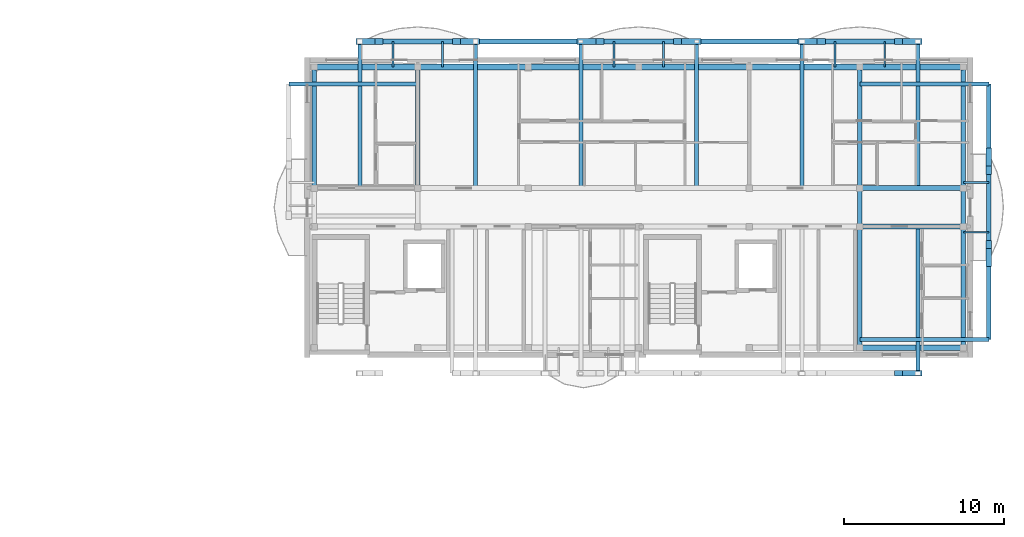
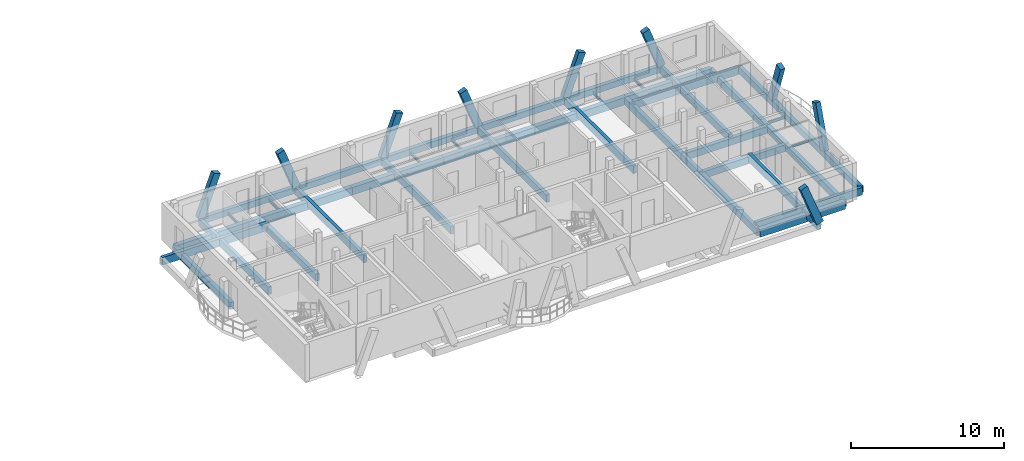
# One storey, part 7 of 33: 37 beams, 9 members.
"""IFC4 building model written with IfcOpenShell, lengths in metres."""

import ifcopenshell
import ifcopenshell.guid

model = None  # the IFC model being written
_history = None  # IfcOwnerHistory: only IFC2X3 demands one
_inside = {}  # id of a spatial element -> (the spatial element, [elements in it])
_under = {}  # id of a project, library or spatial element -> (it, [spatial elements below it])
_declared = {}  # id of a project -> (the project, [libraries it declares])
_typed = {}  # id of a type object -> (the type object, [elements of that type])
_made_of = {}  # id of a material, layer set ... -> (it, [elements and type objects made of it])


def new_model(schema):
    """Start an empty IFC model of exactly this schema.

    Asked for "IFC4X3", IfcOpenShell would pick the latest addendum, in which some entities
    have other attributes; the version numbers below select the first issue.
    IFC2X3 requires an IfcOwnerHistory on every rooted entity: one is made here for all.
    """
    global model, _history
    if schema == "IFC4X3":
        model = ifcopenshell.file(schema_version=(4, 3, 0, 0))
    else:
        model = ifcopenshell.file(schema=schema)
    _inside.clear()
    _under.clear()
    _declared.clear()
    _typed.clear()
    _made_of.clear()
    _history = None
    if model.schema == "IFC2X3":
        org = make("IfcOrganization", Name="unknown")
        user = make(
            "IfcPersonAndOrganization",
            ThePerson=make("IfcPerson", FamilyName="unknown"),
            TheOrganization=org,
        )
        app = make(
            "IfcApplication",
            ApplicationDeveloper=org,
            Version="unknown",
            ApplicationFullName="unknown",
            ApplicationIdentifier="unknown",
        )
        _history = make(
            "IfcOwnerHistory",
            OwningUser=user,
            OwningApplication=app,
            ChangeAction="ADDED",
            CreationDate=0,
        )
    return model


def make(cls, **values):
    """One entity of the class cls with the attributes given. An attribute that is None is left unset."""
    return model.create_entity(
        cls, **{name: value for name, value in values.items() if value is not None}
    )


def rooted(cls, **values):
    """An entity with a GlobalId (a new one), such as an element, a storey or a relation."""
    return make(cls, GlobalId=ifcopenshell.guid.new(), OwnerHistory=_history, **values)


def si_unit(unit_type, name, prefix=None):
    """IfcSIUnit, for example si_unit("LENGTHUNIT", "METRE", prefix="MILLI")."""
    return make("IfcSIUnit", UnitType=unit_type, Prefix=prefix, Name=name)


def assignment(units):
    """IfcUnitAssignment: the units of a project."""
    return None if units is None else make("IfcUnitAssignment", Units=units)


def point(xyz):
    """IfcCartesianPoint."""
    return None if xyz is None else make("IfcCartesianPoint", Coordinates=xyz)


def direction(xyz):
    """IfcDirection."""
    return None if xyz is None else make("IfcDirection", DirectionRatios=xyz)


def frame(location, z_axis=None, x_axis=None):
    """IfcAxis2Placement3D, a coordinate frame: its origin and axes. An axis left out is left unset."""
    return make(
        "IfcAxis2Placement3D",
        Location=point(location),
        Axis=direction(z_axis),
        RefDirection=direction(x_axis),
    )


def frame_2d(location, x_axis=None):
    """IfcAxis2Placement2D, a coordinate frame in the plane: its origin and x axis."""
    return make(
        "IfcAxis2Placement2D", Location=point(location), RefDirection=direction(x_axis)
    )


def origin():
    """The frame at (0, 0, 0) with its axes left unset."""
    return frame((0.0, 0.0, 0.0))


def origin_2d():
    """The frame at (0, 0) in the plane with its x axis left unset."""
    return frame_2d((0.0, 0.0))


def place(relative_to, where):
    """IfcLocalPlacement: puts the frame where relative to a parent placement (None: the world)."""
    return make(
        "IfcLocalPlacement", PlacementRelTo=relative_to, RelativePlacement=where
    )


def context(
    kind, dimensions, precision=None, world=None, true_north=None, identifier=None
):
    """IfcGeometricRepresentationContext, for example the 3D "Model" context."""
    return make(
        "IfcGeometricRepresentationContext",
        ContextIdentifier=identifier,
        ContextType=kind,
        CoordinateSpaceDimension=dimensions,
        Precision=precision,
        WorldCoordinateSystem=world,
        TrueNorth=true_north,
    )


def subcontext(parent, identifier, kind, view, scale=None):
    """IfcGeometricRepresentationSubContext, for example "Body" below "Model"."""
    return make(
        "IfcGeometricRepresentationSubContext",
        ContextIdentifier=identifier,
        ContextType=kind,
        ParentContext=parent,
        TargetScale=scale,
        TargetView=view,
    )


def project(units=None, contexts=None):
    """IfcProject with its units and contexts."""
    return rooted(
        "IfcProject",
        Name="project",
        RepresentationContexts=contexts,
        UnitsInContext=assignment(units),
    )


def spatial(cls, under=None, at=None, **own):
    """A site, building, storey or space (cls), placed at a placement, below another one or the project."""
    s = rooted(cls, ObjectPlacement=at, **own)
    if under is not None:
        _under.setdefault(under.id(), (under, []))[1].append(s)
    return s


def profile(cls, at=None, kind="AREA", **sizes):
    """A parametric profile (cls). Its sizes go by their IFC names, for example OverallWidth=200.0."""
    return make(cls, ProfileType=kind, Position=at, **sizes)


def rectangle(**sizes):
    """IfcRectangleProfileDef."""
    return profile("IfcRectangleProfileDef", **sizes)


def i_section(**sizes):
    """IfcIShapeProfileDef."""
    return profile("IfcIShapeProfileDef", **sizes)


def extrude(swept, where, along, depth):
    """IfcExtrudedAreaSolid: the profile swept, set in the frame where, extruded along a direction by depth."""
    return make(
        "IfcExtrudedAreaSolid",
        SweptArea=swept,
        Position=where,
        ExtrudedDirection=direction(along),
        Depth=depth,
    )


def shape(context_of_items, identifier, shape_type, items):
    """IfcShapeRepresentation: the items that make up one representation, for example the "Body"."""
    return make(
        "IfcShapeRepresentation",
        ContextOfItems=context_of_items,
        RepresentationIdentifier=identifier,
        RepresentationType=shape_type,
        Items=items,
    )


def material(Name=None, Category=None):
    """IfcMaterial."""
    return make("IfcMaterial", Name=Name, Category=Category)


def material_profile(
    of_material, cross_section, Name=None, Category=None, Priority=None
):
    """IfcMaterialProfile: a cross section and its material."""
    return make(
        "IfcMaterialProfile",
        Name=Name,
        Material=of_material,
        Profile=cross_section,
        Priority=Priority,
        Category=Category,
    )


def profile_set(profiles, Name=None, composite=None):
    """IfcMaterialProfileSet."""
    return make(
        "IfcMaterialProfileSet",
        Name=Name,
        MaterialProfiles=profiles,
        CompositeProfile=composite,
    )


def made_of(thing, what):
    """Note that an element or type object is made of a material, layer set ...; save() writes the relation."""
    if what is not None:
        _made_of.setdefault(what.id(), (what, []))[1].append(thing)
    return thing


def type_object(cls, material=None, **own):
    """A type object (cls), such as IfcWallType, which elements share."""
    return made_of(rooted(cls, **own), material)


def element(
    cls,
    number,
    at=None,
    inside=None,
    cuts=None,
    type_object=None,
    material=None,
    context=None,
    identifier="Body",
    shape_type=None,
    held_by="IfcProductDefinitionShape",
    body=None,
    shapes=None,
    **own,
):
    """One element of the class cls, such as IfcWall. Its Tag is "e" and its number.

    at: its placement. inside: the storey or other place that contains it. cuts: it is an
    opening in that element (IfcRelVoidsElement). A single representation is given by context,
    identifier, shape_type and body (its items); several are given by shapes. held_by: the class
    of the entity that holds the representations. save() writes the other relations.
    """
    e = rooted(cls, Tag="e%d" % number, ObjectPlacement=at, **own)
    if body is not None:
        shapes = [shape(context, identifier, shape_type, body)]
    if shapes is not None:
        e.Representation = make(held_by, Representations=shapes)
    if inside is not None:
        _inside.setdefault(inside.id(), (inside, []))[1].append(e)
    if cuts is not None:
        rooted(
            "IfcRelVoidsElement", RelatingBuildingElement=cuts, RelatedOpeningElement=e
        )
    if type_object is not None:
        _typed.setdefault(type_object.id(), (type_object, []))[1].append(e)
    return made_of(e, material)


def aggregate(whole, parts):
    """IfcRelAggregates: a whole, such as a stair, and the parts it consists of."""
    return rooted("IfcRelAggregates", RelatingObject=whole, RelatedObjects=parts)


def save(model, path):
    """Write the relations noted so far, then the file.

    IfcRelAggregates (storeys below a building ...), IfcRelContainedInSpatialStructure (elements
    in a storey), IfcRelDefinesByType, IfcRelAssociatesMaterial and IfcRelDeclares: one each for
    every whole, place, type object, material and project.
    """
    for whole, parts in _under.values():
        aggregate(whole, parts)
    for where, things in _inside.values():
        rooted(
            "IfcRelContainedInSpatialStructure",
            RelatedElements=things,
            RelatingStructure=where,
        )
    for kind, things in _typed.values():
        rooted("IfcRelDefinesByType", RelatedObjects=things, RelatingType=kind)
    for what, things in _made_of.values():
        rooted("IfcRelAssociatesMaterial", RelatedObjects=things, RelatingMaterial=what)
    for by, libraries in _declared.values():
        rooted("IfcRelDeclares", RelatingContext=by, RelatedDefinitions=libraries)
    model.write(path)


model = new_model("IFC4")

# Units and contexts
model_context = context("Model", 3, precision=1e-05, world=origin(), true_north=direction((0.0, 1.0)))
body_context = subcontext(model_context, "Body", "Model", "MODEL_VIEW")
ifc_project = project(units=[si_unit("LENGTHUNIT", "METRE"), si_unit("AREAUNIT", "SQUARE_METRE"), si_unit("VOLUMEUNIT", "CUBIC_METRE"), si_unit("PLANEANGLEUNIT", "RADIAN"), si_unit("MASSUNIT", "GRAM", prefix="KILO")], contexts=[model_context])

# Site, building, storey
site_placement = place(None, origin())
site = spatial("IfcSite", under=ifc_project, at=site_placement, CompositionType="ELEMENT")
building_placement = place(site_placement, origin())
building = spatial("IfcBuilding", under=site, at=building_placement, Name="Zavelmont Quarter", CompositionType="ELEMENT")
storey_placement = place(building_placement, frame((0.0, 0.0, 30.39990234375)))
storey = spatial("IfcBuildingStorey", under=building, at=storey_placement, Name="L09", CompositionType="ELEMENT", Elevation=30.39990234375)

# Beams
ifc_material_1 = material(Name="Concrete C35/45", Category="concrete")
ifc_material_profile_1 = material_profile(ifc_material_1, rectangle(XDim=0.35009765625, YDim=0.60009765625, at=origin_2d()), Name="RC350X600")
ifc_profile_set_1 = profile_set([ifc_material_profile_1], Name="Concrete C35/45")
beam_type_1 = type_object("IfcBeamType", Name="BM01", PredefinedType="SPANDREL", material=ifc_profile_set_1)
for number, where, z_axis, x_axis, name in (
    (1, (161.10009765625, 98.0400390625, -0.539794921875), (1.0, 0.0, 0.0), (0.0, 1.0, 0.0), "L09 beam BM01 24/P to 25/P"),
    (2, (127.0400390625, 115.56005859375, -0.539794921875), (1.0, 0.0, 0.0), (0.0, 1.0, 0.0), "L09 beam BM01 19/S to 20/S"),
):
    element("IfcBeam", number, at=place(storey_placement, frame(where, z_axis=z_axis, x_axis=x_axis)), inside=storey, type_object=beam_type_1, Name=name, PredefinedType="SPANDREL", context=body_context, shape_type="SweptSolid", body=[
        extrude(rectangle(XDim=0.35009765625, YDim=0.60009765625, at=origin_2d()), origin(), (0.0, 0.0, 1.0), 6.4599609375),
    ])
beam_1_placement = place(storey_placement, frame((133.5, 115.56005859375, -0.539794921875), z_axis=(1.0, 0.0, 0.0), x_axis=(0.0, 1.0, 0.0)))
element("IfcBeam", 3, at=beam_1_placement, inside=storey, type_object=beam_type_1, Name="L09 beam BM01 20/S to 21/S", PredefinedType="SPANDREL", context=body_context, shape_type="SweptSolid", body=[
    extrude(rectangle(XDim=0.35009765625, YDim=0.60009765625, at=origin_2d()), origin(), (0.0, 0.0, 1.0), 6.89990234375),
])
beam_2_placement = place(storey_placement, frame((140.39990234375, 115.56005859375, -0.539794921875), z_axis=(1.0, 0.0, 0.0), x_axis=(0.0, 1.0, 0.0)))
element("IfcBeam", 4, at=beam_2_placement, inside=storey, type_object=beam_type_1, Name="L09 beam BM01 21/S to 22/S", PredefinedType="SPANDREL", context=body_context, shape_type="SweptSolid", body=[
    extrude(rectangle(XDim=0.35009765625, YDim=0.60009765625, at=origin_2d()), origin(), (0.0, 0.0, 1.0), 6.900146484375),
])
beam_3_placement = place(storey_placement, frame((147.300048828125, 115.56005859375, -0.539794921875), z_axis=(1.0, 0.0, 0.0), x_axis=(0.0, 1.0, 0.0)))
element("IfcBeam", 5, at=beam_3_placement, inside=storey, type_object=beam_type_1, Name="L09 beam BM01 22/S to 23/S", PredefinedType="SPANDREL", context=body_context, shape_type="SweptSolid", body=[
    extrude(rectangle(XDim=0.35009765625, YDim=0.60009765625, at=origin_2d()), origin(), (0.0, 0.0, 1.0), 6.89990234375),
])
beam_4_placement = place(storey_placement, frame((154.199951171875, 115.56005859375, -0.539794921875), z_axis=(1.0, 0.0, 0.0), x_axis=(0.0, 1.0, 0.0)))
element("IfcBeam", 6, at=beam_4_placement, inside=storey, type_object=beam_type_1, Name="L09 beam BM01 23/S to 24/S", PredefinedType="SPANDREL", context=body_context, shape_type="SweptSolid", body=[
    extrude(rectangle(XDim=0.35009765625, YDim=0.60009765625, at=origin_2d()), origin(), (0.0, 0.0, 1.0), 6.900146484375),
])
beam_5_placement = place(storey_placement, frame((161.10009765625, 115.56005859375, -0.539794921875), z_axis=(1.0, 0.0, 0.0), x_axis=(0.0, 1.0, 0.0)))
element("IfcBeam", 7, at=beam_5_placement, inside=storey, type_object=beam_type_1, Name="L09 beam BM01 24/S to 25/S", PredefinedType="SPANDREL", context=body_context, shape_type="SweptSolid", body=[
    extrude(rectangle(XDim=0.35009765625, YDim=0.60009765625, at=origin_2d()), origin(), (0.0, 0.0, 1.0), 6.4599609375),
])
ifc_material_profile_2 = material_profile(ifc_material_1, rectangle(XDim=0.300048828125, YDim=0.550048828125, at=origin_2d()), Name="RC300X550")
ifc_profile_set_2 = profile_set([ifc_material_profile_2], Name="Concrete C35/45")
beam_type_2 = type_object("IfcBeamType", Name="BM02", PredefinedType="SPANDREL", material=ifc_profile_set_2)
for number, where, z_axis, x_axis, name in (
    (8, (161.10009765625, 105.60009765625, -0.514892578125), (1.0, 0.0, 0.0), (0.0, 1.0, 0.0), "L09 beam BM02 24/Q to 25/Q"),
    (9, (161.10009765625, 108.0, -0.514892578125), (1.0, 0.0, 0.0), (0.0, 1.0, 0.0), "L09 beam BM02 24/R to 25/R"),
):
    element("IfcBeam", number, at=place(storey_placement, frame(where, z_axis=z_axis, x_axis=x_axis)), inside=storey, type_object=beam_type_2, Name=name, PredefinedType="SPANDREL", context=body_context, shape_type="SweptSolid", body=[
        extrude(rectangle(XDim=0.300048828125, YDim=0.550048828125, at=origin_2d()), origin(), (0.0, 0.0, 1.0), 6.4599609375),
    ])
for number, where, z_axis, x_axis, name in (
    (10, (127.0400390625, 108.0, -0.514892578125), (0.0, 1.0, 0.0), (-1.0, 0.0, 0.0), "L09 beam BM02 19/R to 19/S"),
    (11, (133.5, 108.0, -0.514892578125), (0.0, 1.0, 0.0), (-1.0, 0.0, 0.0), "L09 beam BM02 20/R to 20/S"),
    (12, (161.10009765625, 98.0400390625, -0.514892578125), (0.0, 1.0, 0.0), (-1.0, 0.0, 0.0), "L09 beam BM02 24/P to 24/Q"),
):
    element("IfcBeam", number, at=place(storey_placement, frame(where, z_axis=z_axis, x_axis=x_axis)), inside=storey, type_object=beam_type_2, Name=name, PredefinedType="SPANDREL", context=body_context, shape_type="SweptSolid", body=[
        extrude(rectangle(XDim=0.300048828125, YDim=0.550048828125, at=origin_2d()), origin(), (0.0, 0.0, 1.0), 7.56005859375),
    ])
beam_6_placement = place(storey_placement, frame((161.10009765625, 105.60009765625, -0.514892578125), z_axis=(0.0, 1.0, 0.0), x_axis=(-1.0, 0.0, 0.0)))
element("IfcBeam", 13, at=beam_6_placement, inside=storey, type_object=beam_type_2, Name="L09 beam BM02 24/Q to 24/R", PredefinedType="SPANDREL", context=body_context, shape_type="SweptSolid", body=[
    extrude(rectangle(XDim=0.300048828125, YDim=0.550048828125, at=origin_2d()), origin(), (0.0, 0.0, 1.0), 2.39990234375),
])
for number, where, z_axis, x_axis, name in (
    (14, (161.10009765625, 108.0, -0.514892578125), (0.0, 1.0, 0.0), (-1.0, 0.0, 0.0), "L09 beam BM02 24/R to 24/S"),
    (15, (167.56005859375, 98.0400390625, -0.514892578125), (0.0, 1.0, 0.0), (-1.0, 0.0, 0.0), "L09 beam BM02 25/P to 25/Q"),
):
    element("IfcBeam", number, at=place(storey_placement, frame(where, z_axis=z_axis, x_axis=x_axis)), inside=storey, type_object=beam_type_2, Name=name, PredefinedType="SPANDREL", context=body_context, shape_type="SweptSolid", body=[
        extrude(rectangle(XDim=0.300048828125, YDim=0.550048828125, at=origin_2d()), origin(), (0.0, 0.0, 1.0), 7.56005859375),
    ])
beam_7_placement = place(storey_placement, frame((167.56005859375, 105.60009765625, -0.514892578125), z_axis=(0.0, 1.0, 0.0), x_axis=(-1.0, 0.0, 0.0)))
element("IfcBeam", 16, at=beam_7_placement, inside=storey, type_object=beam_type_2, Name="L09 beam BM02 25/Q to 25/R", PredefinedType="SPANDREL", context=body_context, shape_type="SweptSolid", body=[
    extrude(rectangle(XDim=0.300048828125, YDim=0.550048828125, at=origin_2d()), origin(), (0.0, 0.0, 1.0), 2.39990234375),
])
beam_8_placement = place(storey_placement, frame((167.56005859375, 108.0, -0.514892578125), z_axis=(0.0, 1.0, 0.0), x_axis=(-1.0, 0.0, 0.0)))
element("IfcBeam", 17, at=beam_8_placement, inside=storey, type_object=beam_type_2, Name="L09 beam BM02 25/R to 25/S", PredefinedType="SPANDREL", context=body_context, shape_type="SweptSolid", body=[
    extrude(rectangle(XDim=0.300048828125, YDim=0.550048828125, at=origin_2d()), origin(), (0.0, 0.0, 1.0), 7.56005859375),
])
ifc_material_profile_3 = material_profile(ifc_material_1, rectangle(XDim=0.300048828125, YDim=0.5, at=origin_2d()), Name="RC300X500")
ifc_profile_set_3 = profile_set([ifc_material_profile_3], Name="Concrete C35/45")
beam_type_3 = type_object("IfcBeamType", Name="BM03", PredefinedType="BEAM", material=ifc_profile_set_3)
beam_9_placement = place(storey_placement, frame((129.883056640625, 117.14990234375, -0.25), z_axis=(1.0, 0.0, 0.0), x_axis=(0.0, 1.0, 0.0)))
element("IfcBeam", 18, at=beam_9_placement, inside=storey, type_object=beam_type_3, Name="L09 beam BM03 19/S to 25/S", PredefinedType="BEAM", context=body_context, shape_type="SweptSolid", body=[
    extrude(rectangle(XDim=0.300048828125, YDim=0.5, at=origin_2d()), origin(), (0.0, 0.0, 1.0), 34.833984375),
])
beam_10_placement = place(storey_placement, frame((169.14990234375, 98.550048828125, -0.25), z_axis=(0.0, 1.0, 0.0), x_axis=(-1.0, 0.0, 0.0)))
element("IfcBeam", 19, at=beam_10_placement, inside=storey, type_object=beam_type_3, Name="L09 beam BM03 25/P to 25/S", PredefinedType="BEAM", context=body_context, shape_type="SweptSolid", body=[
    extrude(rectangle(XDim=0.300048828125, YDim=0.5, at=origin_2d()), origin(), (0.0, 0.0, 1.0), 15.949951171875),
])
ifc_material_2 = material(Name="Steel S355", Category="steel")
ifc_material_profile_4 = material_profile(ifc_material_2, i_section(OverallWidth=0.110107421875, OverallDepth=0.219970703125, WebThickness=0.005859375, FlangeThickness=0.00927734375, at=origin_2d()), Name="IPE 220")
ifc_profile_set_4 = profile_set([ifc_material_profile_4], Name="Steel S355")
beam_type_4 = type_object("IfcBeamType", Name="BM15", PredefinedType="JOIST", material=ifc_profile_set_4)
for number, where, z_axis, x_axis, name in (
    (20, (131.949951171875, 115.56005859375, -0.351806640625), (0.0, 1.0, 0.0), (-1.0, 0.0, 0.0), "L09 beam BM15 20/S to 20/S"),
    (21, (135.050048828125, 115.56005859375, -0.351806640625), (0.0, 1.0, 0.0), (-1.0, 0.0, 0.0), "L09 beam BM15 20/S to 20/S"),
    (22, (145.75, 115.56005859375, -0.366943359375), (0.0, 1.0, 0.0), (-1.0, 0.0, 0.0), "L09 beam BM15 22/S to 22/S"),
    (23, (148.85009765625, 115.56005859375, -0.366943359375), (0.0, 1.0, 0.0), (-1.0, 0.0, 0.0), "L09 beam BM15 22/S to 22/S"),
    (24, (159.550048828125, 115.56005859375, -0.35693359375), (0.0, 1.0, 0.0), (-1.0, 0.0, 0.0), "L09 beam BM15 24/S to 24/S"),
    (25, (162.64990234375, 115.56005859375, -0.35693359375), (0.0, 1.0, 0.0), (-1.0, 0.0, 0.0), "L09 beam BM15 24/S to 24/S"),
    (26, (167.56005859375, 105.25, -0.351806640625), (1.0, 0.0, 0.0), (0.0, 1.0, 0.0), "L09 beam BM15 25/Q to 25/Q"),
    (27, (167.56005859375, 108.35009765625, -0.351806640625), (1.0, 0.0, 0.0), (0.0, 1.0, 0.0), "L09 beam BM15 25/R to 25/R"),
):
    element("IfcBeam", number, at=place(storey_placement, frame(where, z_axis=z_axis, x_axis=x_axis)), inside=storey, type_object=beam_type_4, Name=name, PredefinedType="JOIST", context=body_context, shape_type="SweptSolid", body=[
        extrude(i_section(OverallWidth=0.110107421875, OverallDepth=0.219970703125, WebThickness=0.005859375, FlangeThickness=0.00927734375, at=origin_2d()), origin(), (0.0, 0.0, 1.0), 1.58984375),
    ])
ifc_material_3 = material(Name="Concrete C40/50", Category="concrete")
ifc_material_profile_5 = material_profile(ifc_material_3, rectangle(XDim=0.25, YDim=0.60009765625, at=origin_2d()), Name="RC250X600")
ifc_profile_set_5 = profile_set([ifc_material_profile_5], Name="Concrete C40/50")
beam_type_5 = type_object("IfcBeamType", Name="BM18", PredefinedType="BEAM", material=ifc_profile_set_5)
for number, where, z_axis, x_axis, name in (
    (28, (129.883056640625, 108.0, -0.2998046875), (0.0, 1.0, 0.0), (-1.0, 0.0, 0.0), "L09 beam BM18 19/R to 19/S"),
    (29, (137.116943359375, 108.0, -0.2998046875), (0.0, 1.0, 0.0), (-1.0, 0.0, 0.0), "L09 beam BM18 21/R to 21/S"),
    (30, (143.68310546875, 108.0, -0.2998046875), (0.0, 1.0, 0.0), (-1.0, 0.0, 0.0), "L09 beam BM18 21/R to 21/S"),
    (31, (150.9169921875, 108.0, -0.2998046875), (0.0, 1.0, 0.0), (-1.0, 0.0, 0.0), "L09 beam BM18 23/R to 23/S"),
    (32, (157.483154296875, 108.0, -0.2998046875), (0.0, 1.0, 0.0), (-1.0, 0.0, 0.0), "L09 beam BM18 23/R to 23/S"),
    (33, (164.716796875, 108.0, -0.2998046875), (0.0, 1.0, 0.0), (-1.0, 0.0, 0.0), "L09 beam BM18 25/R to 25/S"),
):
    element("IfcBeam", number, at=place(storey_placement, frame(where, z_axis=z_axis, x_axis=x_axis)), inside=storey, type_object=beam_type_5, Name=name, PredefinedType="BEAM", context=body_context, shape_type="SweptSolid", body=[
        extrude(rectangle(XDim=0.25, YDim=0.60009765625, at=origin_2d()), origin(), (0.0, 0.0, 1.0), 9.14990234375),
    ])
beam_11_placement = place(storey_placement, frame((164.716796875, 105.60009765625, -0.2998046875), z_axis=(0.0, -1.0, 0.0), x_axis=(1.0, 0.0, 0.0)))
element("IfcBeam", 34, at=beam_11_placement, inside=storey, type_object=beam_type_5, Name="L09 beam BM18 25/Q to 25/P", PredefinedType="BEAM", context=body_context, shape_type="SweptSolid", body=[
    extrude(rectangle(XDim=0.25, YDim=0.60009765625, at=origin_2d()), origin(), (0.0, 0.0, 1.0), 9.150146484375),
])
for number, where, z_axis, x_axis, name in (
    (35, (161.10009765625, 98.550048828125, -0.2998046875), (1.0, 0.0, 0.0), (0.0, 1.0, 0.0), "L09 beam BM18 24/P to 25/P"),
    (36, (161.10009765625, 114.5, -0.2998046875), (1.0, 0.0, 0.0), (0.0, 1.0, 0.0), "L09 beam BM18 24/S to 25/S"),
):
    element("IfcBeam", number, at=place(storey_placement, frame(where, z_axis=z_axis, x_axis=x_axis)), inside=storey, type_object=beam_type_5, Name=name, PredefinedType="BEAM", context=body_context, shape_type="SweptSolid", body=[
        extrude(rectangle(XDim=0.25, YDim=0.60009765625, at=origin_2d()), origin(), (0.0, 0.0, 1.0), 8.0498046875),
    ])
beam_12_placement = place(storey_placement, frame((133.5, 114.5, -0.2998046875), z_axis=(-1.0, 0.0, 0.0), x_axis=(0.0, -1.0, 0.0)))
element("IfcBeam", 37, at=beam_12_placement, inside=storey, type_object=beam_type_5, Name="L09 beam BM18 20/S to 19/S", PredefinedType="BEAM", context=body_context, shape_type="SweptSolid", body=[
    extrude(rectangle(XDim=0.25, YDim=0.60009765625, at=origin_2d()), origin(), (0.0, 0.0, 1.0), 8.050048828125),
])

# Members
ifc_material_4 = material(Name="White architectural precast concrete C40/50", Category="concrete")
ifc_material_profile_6 = material_profile(ifc_material_4, rectangle(XDim=0.360107421875, YDim=0.5400390625, at=origin_2d()), Name="PCR280X420")
ifc_profile_set_6 = profile_set([ifc_material_profile_6], Name="White architectural precast concrete C40/50")
member_type = type_object("IfcMemberType", Name="VR02M", PredefinedType="CHORD", material=ifc_profile_set_6)
for number, where, z_axis, x_axis, name in (
    (38, (129.883056640625, 117.14990234375, 0.0), (0.353218739915, 0.0, 0.935540764357), (0.0, 1.0, 0.0), "L09 member VR02M 19/S to 20/S"),
    (39, (137.116943359375, 117.14990234375, 0.0), (-0.353218739915, 0.0, 0.935540764357), (0.0, -1.0, 0.0), "L09 member VR02M 21/S to 20/S"),
    (40, (143.68310546875, 117.14990234375, 0.0), (0.353156270399, 0.0, 0.935564347695), (0.0, 1.0, 0.0), "L09 member VR02M 21/S to 22/S"),
    (41, (150.9169921875, 117.14990234375, 0.0), (-0.353218739915, 0.0, 0.935540764357), (0.0, -1.0, 0.0), "L09 member VR02M 23/S to 22/S"),
    (42, (157.483154296875, 117.14990234375, 0.0), (0.353156270399, 0.0, 0.935564347695), (0.0, 1.0, 0.0), "L09 member VR02M 23/S to 24/S"),
    (43, (164.716796875, 117.14990234375, 0.0), (-0.353156270399, 0.0, 0.935564347695), (0.0, -1.0, 0.0), "L09 member VR02M 25/S to 24/S"),
    (44, (164.716796875, 96.449951171875, 0.0), (-0.353156270399, 0.0, 0.935564347695), (0.0, -1.0, 0.0), "L09 member VR02M 25/P to 24/P"),
):
    element("IfcMember", number, at=place(storey_placement, frame(where, z_axis=z_axis, x_axis=x_axis)), inside=storey, type_object=member_type, Name=name, PredefinedType="CHORD", context=body_context, shape_type="SweptSolid", body=[
        extrude(rectangle(XDim=0.360107421875, YDim=0.5400390625, at=origin_2d()), origin(), (0.0, 0.0, 1.0), 3.420654296875),
    ])
for number, where, z_axis, x_axis, name in (
    (45, (169.14990234375, 103.36279296875, 0.0), (0.0, 0.330812172626, 0.943696617798), (-1.0, 0.0, 0.0), "L09 member VR02M 25/Q to 25/Q"),
    (46, (169.14990234375, 110.2373046875, 0.0), (0.0, -0.3308762855, 0.94367414063), (1.0, 0.0, 0.0), "L09 member VR02M 25/R to 25/R"),
):
    element("IfcMember", number, at=place(storey_placement, frame(where, z_axis=z_axis, x_axis=x_axis)), inside=storey, type_object=member_type, Name=name, PredefinedType="CHORD", context=body_context, shape_type="SweptSolid", body=[
        extrude(rectangle(XDim=0.360107421875, YDim=0.5400390625, at=origin_2d()), origin(), (0.0, 0.0, 1.0), 3.39111328125),
    ])

save(model, "model.ifc")
